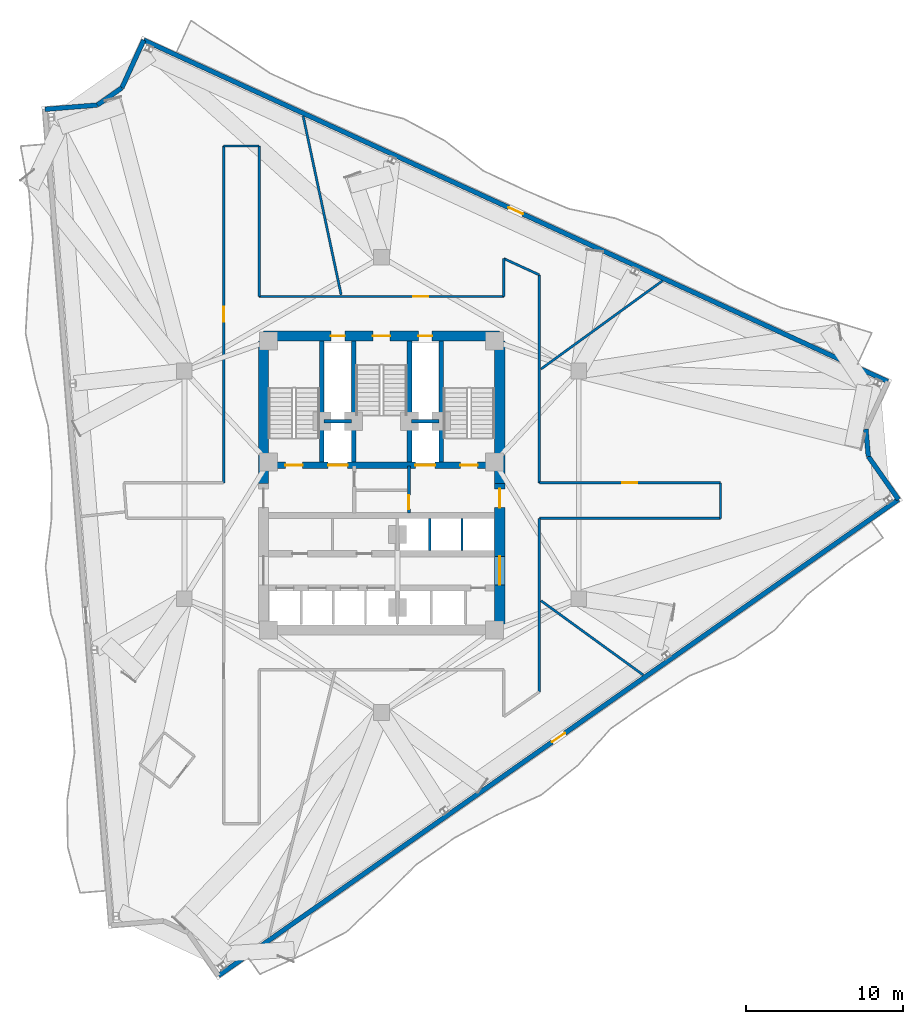
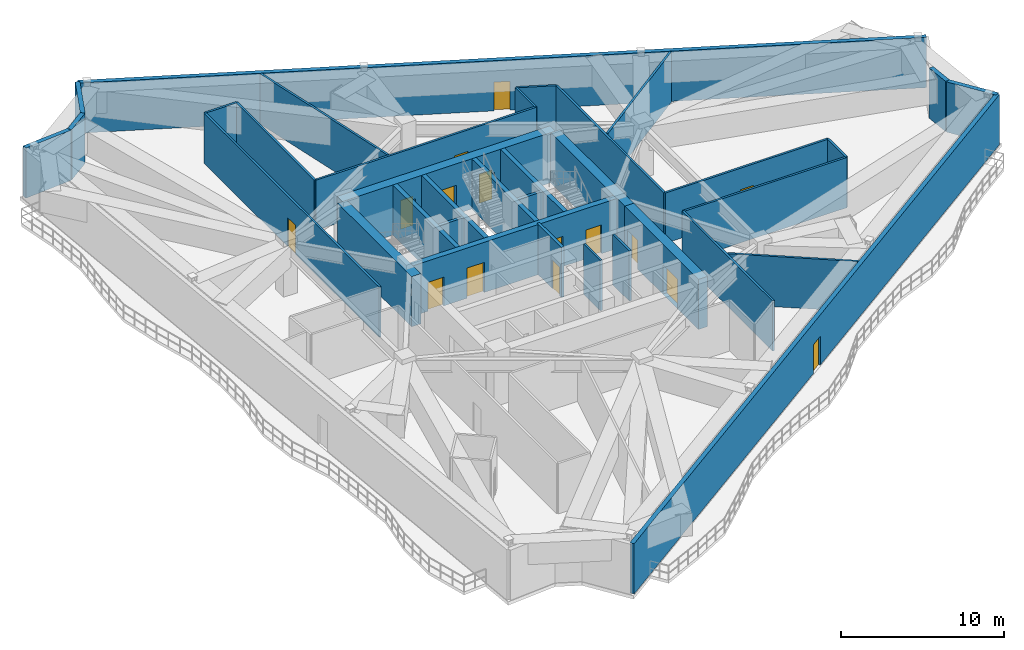
# One storey, part 9 of 14: 35 walls, 15 doors, 15 openings.
"""IFC4 building model written with IfcOpenShell, lengths in metres."""

import ifcopenshell
import ifcopenshell.guid

model = None  # the IFC model being written
_history = None  # IfcOwnerHistory: only IFC2X3 demands one
_inside = {}  # id of a spatial element -> (the spatial element, [elements in it])
_under = {}  # id of a project, library or spatial element -> (it, [spatial elements below it])
_declared = {}  # id of a project -> (the project, [libraries it declares])
_typed = {}  # id of a type object -> (the type object, [elements of that type])
_made_of = {}  # id of a material, layer set ... -> (it, [elements and type objects made of it])


def new_model(schema):
    """Start an empty IFC model of exactly this schema.

    Asked for "IFC4X3", IfcOpenShell would pick the latest addendum, in which some entities
    have other attributes; the version numbers below select the first issue.
    IFC2X3 requires an IfcOwnerHistory on every rooted entity: one is made here for all.
    """
    global model, _history
    if schema == "IFC4X3":
        model = ifcopenshell.file(schema_version=(4, 3, 0, 0))
    else:
        model = ifcopenshell.file(schema=schema)
    _inside.clear()
    _under.clear()
    _declared.clear()
    _typed.clear()
    _made_of.clear()
    _history = None
    if model.schema == "IFC2X3":
        org = make("IfcOrganization", Name="unknown")
        user = make(
            "IfcPersonAndOrganization",
            ThePerson=make("IfcPerson", FamilyName="unknown"),
            TheOrganization=org,
        )
        app = make(
            "IfcApplication",
            ApplicationDeveloper=org,
            Version="unknown",
            ApplicationFullName="unknown",
            ApplicationIdentifier="unknown",
        )
        _history = make(
            "IfcOwnerHistory",
            OwningUser=user,
            OwningApplication=app,
            ChangeAction="ADDED",
            CreationDate=0,
        )
    return model


def make(cls, **values):
    """One entity of the class cls with the attributes given. An attribute that is None is left unset."""
    return model.create_entity(
        cls, **{name: value for name, value in values.items() if value is not None}
    )


def rooted(cls, **values):
    """An entity with a GlobalId (a new one), such as an element, a storey or a relation."""
    return make(cls, GlobalId=ifcopenshell.guid.new(), OwnerHistory=_history, **values)


def si_unit(unit_type, name, prefix=None):
    """IfcSIUnit, for example si_unit("LENGTHUNIT", "METRE", prefix="MILLI")."""
    return make("IfcSIUnit", UnitType=unit_type, Prefix=prefix, Name=name)


def assignment(units):
    """IfcUnitAssignment: the units of a project."""
    return None if units is None else make("IfcUnitAssignment", Units=units)


def point(xyz):
    """IfcCartesianPoint."""
    return None if xyz is None else make("IfcCartesianPoint", Coordinates=xyz)


def direction(xyz):
    """IfcDirection."""
    return None if xyz is None else make("IfcDirection", DirectionRatios=xyz)


def frame(location, z_axis=None, x_axis=None):
    """IfcAxis2Placement3D, a coordinate frame: its origin and axes. An axis left out is left unset."""
    return make(
        "IfcAxis2Placement3D",
        Location=point(location),
        Axis=direction(z_axis),
        RefDirection=direction(x_axis),
    )


def frame_2d(location, x_axis=None):
    """IfcAxis2Placement2D, a coordinate frame in the plane: its origin and x axis."""
    return make(
        "IfcAxis2Placement2D", Location=point(location), RefDirection=direction(x_axis)
    )


def origin():
    """The frame at (0, 0, 0) with its axes left unset."""
    return frame((0.0, 0.0, 0.0))


def place(relative_to, where):
    """IfcLocalPlacement: puts the frame where relative to a parent placement (None: the world)."""
    return make(
        "IfcLocalPlacement", PlacementRelTo=relative_to, RelativePlacement=where
    )


def context(
    kind, dimensions, precision=None, world=None, true_north=None, identifier=None
):
    """IfcGeometricRepresentationContext, for example the 3D "Model" context."""
    return make(
        "IfcGeometricRepresentationContext",
        ContextIdentifier=identifier,
        ContextType=kind,
        CoordinateSpaceDimension=dimensions,
        Precision=precision,
        WorldCoordinateSystem=world,
        TrueNorth=true_north,
    )


def subcontext(parent, identifier, kind, view, scale=None):
    """IfcGeometricRepresentationSubContext, for example "Body" below "Model"."""
    return make(
        "IfcGeometricRepresentationSubContext",
        ContextIdentifier=identifier,
        ContextType=kind,
        ParentContext=parent,
        TargetScale=scale,
        TargetView=view,
    )


def project(units=None, contexts=None):
    """IfcProject with its units and contexts."""
    return rooted(
        "IfcProject",
        Name="project",
        RepresentationContexts=contexts,
        UnitsInContext=assignment(units),
    )


def spatial(cls, under=None, at=None, **own):
    """A site, building, storey or space (cls), placed at a placement, below another one or the project."""
    s = rooted(cls, ObjectPlacement=at, **own)
    if under is not None:
        _under.setdefault(under.id(), (under, []))[1].append(s)
    return s


def profile(cls, at=None, kind="AREA", **sizes):
    """A parametric profile (cls). Its sizes go by their IFC names, for example OverallWidth=200.0."""
    return make(cls, ProfileType=kind, Position=at, **sizes)


def rectangle(**sizes):
    """IfcRectangleProfileDef."""
    return profile("IfcRectangleProfileDef", **sizes)


def extrude(swept, where, along, depth):
    """IfcExtrudedAreaSolid: the profile swept, set in the frame where, extruded along a direction by depth."""
    return make(
        "IfcExtrudedAreaSolid",
        SweptArea=swept,
        Position=where,
        ExtrudedDirection=direction(along),
        Depth=depth,
    )


def shape(context_of_items, identifier, shape_type, items):
    """IfcShapeRepresentation: the items that make up one representation, for example the "Body"."""
    return make(
        "IfcShapeRepresentation",
        ContextOfItems=context_of_items,
        RepresentationIdentifier=identifier,
        RepresentationType=shape_type,
        Items=items,
    )


def material(Name=None, Category=None):
    """IfcMaterial."""
    return make("IfcMaterial", Name=Name, Category=Category)


def layer(
    of_material, thickness, ventilated=None, Name=None, Category=None, Priority=None
):
    """IfcMaterialLayer: one layer of a wall or slab, of a material (None: an air gap)."""
    return make(
        "IfcMaterialLayer",
        Material=of_material,
        LayerThickness=thickness,
        IsVentilated=ventilated,
        Name=Name,
        Category=Category,
        Priority=Priority,
    )


def layer_set(layers, Name=None):
    """IfcMaterialLayerSet."""
    return make("IfcMaterialLayerSet", MaterialLayers=layers, LayerSetName=Name)


def made_of(thing, what):
    """Note that an element or type object is made of a material, layer set ...; save() writes the relation."""
    if what is not None:
        _made_of.setdefault(what.id(), (what, []))[1].append(thing)
    return thing


def type_object(cls, material=None, **own):
    """A type object (cls), such as IfcWallType, which elements share."""
    return made_of(rooted(cls, **own), material)


def element(
    cls,
    number,
    at=None,
    inside=None,
    cuts=None,
    type_object=None,
    material=None,
    context=None,
    identifier="Body",
    shape_type=None,
    held_by="IfcProductDefinitionShape",
    body=None,
    shapes=None,
    **own,
):
    """One element of the class cls, such as IfcWall. Its Tag is "e" and its number.

    at: its placement. inside: the storey or other place that contains it. cuts: it is an
    opening in that element (IfcRelVoidsElement). A single representation is given by context,
    identifier, shape_type and body (its items); several are given by shapes. held_by: the class
    of the entity that holds the representations. save() writes the other relations.
    """
    e = rooted(cls, Tag="e%d" % number, ObjectPlacement=at, **own)
    if body is not None:
        shapes = [shape(context, identifier, shape_type, body)]
    if shapes is not None:
        e.Representation = make(held_by, Representations=shapes)
    if inside is not None:
        _inside.setdefault(inside.id(), (inside, []))[1].append(e)
    if cuts is not None:
        rooted(
            "IfcRelVoidsElement", RelatingBuildingElement=cuts, RelatedOpeningElement=e
        )
    if type_object is not None:
        _typed.setdefault(type_object.id(), (type_object, []))[1].append(e)
    return made_of(e, material)


def fill(opening, filler):
    """IfcRelFillsElement: the door or window that sits in an opening."""
    return rooted(
        "IfcRelFillsElement",
        RelatingOpeningElement=opening,
        RelatedBuildingElement=filler,
    )


def aggregate(whole, parts):
    """IfcRelAggregates: a whole, such as a stair, and the parts it consists of."""
    return rooted("IfcRelAggregates", RelatingObject=whole, RelatedObjects=parts)


def save(model, path):
    """Write the relations noted so far, then the file.

    IfcRelAggregates (storeys below a building ...), IfcRelContainedInSpatialStructure (elements
    in a storey), IfcRelDefinesByType, IfcRelAssociatesMaterial and IfcRelDeclares: one each for
    every whole, place, type object, material and project.
    """
    for whole, parts in _under.values():
        aggregate(whole, parts)
    for where, things in _inside.values():
        rooted(
            "IfcRelContainedInSpatialStructure",
            RelatedElements=things,
            RelatingStructure=where,
        )
    for kind, things in _typed.values():
        rooted("IfcRelDefinesByType", RelatedObjects=things, RelatingType=kind)
    for what, things in _made_of.values():
        rooted("IfcRelAssociatesMaterial", RelatedObjects=things, RelatingMaterial=what)
    for by, libraries in _declared.values():
        rooted("IfcRelDeclares", RelatingContext=by, RelatedDefinitions=libraries)
    model.write(path)


model = new_model("IFC4")

# Units and contexts
model_context = context("Model", 3, precision=1e-05, world=origin(), true_north=direction((0.0, 1.0)))
body_context = subcontext(model_context, "Body", "Model", "MODEL_VIEW")
ifc_project = project(units=[si_unit("LENGTHUNIT", "METRE"), si_unit("AREAUNIT", "SQUARE_METRE"), si_unit("VOLUMEUNIT", "CUBIC_METRE"), si_unit("PLANEANGLEUNIT", "RADIAN"), si_unit("MASSUNIT", "GRAM", prefix="KILO")], contexts=[model_context])

# Site, building, storey
site_placement = place(None, origin())
site = spatial("IfcSite", under=ifc_project, at=site_placement, CompositionType="ELEMENT")
building_placement = place(site_placement, origin())
building = spatial("IfcBuilding", under=site, at=building_placement, Name="Apsidion Concourse Tower", CompositionType="ELEMENT")
storey_placement = place(building_placement, frame((0.0, 0.0, 222.89990234375)))
storey = spatial("IfcBuildingStorey", under=building, at=storey_placement, Name="L52", CompositionType="ELEMENT", Elevation=222.89990234375)

# Wall, opening, door
ifc_material_1 = material(Name="Precast concrete C40/50", Category="concrete")
ifc_layer_1 = layer(ifc_material_1, 0.300048828125)
ifc_layer_set_1 = layer_set([ifc_layer_1], Name="Precast concrete C40/50")
wall_type_1 = type_object("IfcWallType", Name="WL-EXT-300", PredefinedType="STANDARD", material=ifc_layer_set_1)
wall_1_placement = place(storey_placement, frame((-15.1435546875, 28.32177734375, 0.0), z_axis=(0.0, 0.0, 1.0), x_axis=(0.908932099953, -0.416944166136, 0.0)))
wall_1 = element("IfcWall", 1, at=wall_1_placement, inside=storey, type_object=wall_type_1, Name="L52 Precast Stone Facade Wall 01", PredefinedType="STANDARD", context=body_context, shape_type="SweptSolid", body=[
    extrude(rectangle(XDim=52.127685546875, YDim=0.300048828125, at=frame_2d((26.06396484375, 0.0))), origin(), (0.0, 0.0, 1.0), 3.75),
])
opening_1_placement = place(wall_1_placement, frame((25.56396484375, 0.0, 0.0)))
opening_1 = element("IfcOpeningElement", 2, at=opening_1_placement, cuts=wall_1, Name="Opening D-T1L", PredefinedType="OPENING", context=body_context, shape_type="SweptSolid", body=[
    extrude(rectangle(XDim=1.0, YDim=2.14990234375, at=frame_2d((0.5, 1.074951171875))), frame((0.0, 0.16015625, 0.0), z_axis=(0.0, -1.0, 0.0), x_axis=(1.0, 0.0, 0.0)), (0.0, 0.0, 1.0), 0.320068359375),
])
ifc_material_2 = material(Name="Anodised aluminium EN AW-6063 T6", Category="aluminium")
door_type_1 = type_object("IfcDoorType", Name="DR-TER-1022L", OperationType="SINGLE_SWING_LEFT", PredefinedType="DOOR", material=ifc_material_2)
door_1_placement = place(opening_1_placement, origin())
door_1 = element("IfcDoor", 3, at=door_1_placement, inside=storey, type_object=door_type_1, Name="L52 Balcony Access Door 3", OperationType="SINGLE_SWING_LEFT", OverallHeight=2.14990234375, OverallWidth=1.0, PredefinedType="DOOR", context=body_context, shape_type="SweptSolid", body=[
    extrude(rectangle(XDim=1.0, YDim=2.14990234375, at=frame_2d((0.5, 1.074951171875))), frame((0.0, 0.02490234375, 0.0), z_axis=(0.0, -1.0, 0.0), x_axis=(1.0, 0.0, 0.0)), (0.0, 0.0, 1.0), 0.050048828125),
])
fill(opening_1, door_1)

# Walls
wall_2_placement = place(storey_placement, frame((30.842041015625, 3.54638671875, 0.0), z_axis=(0.0, 0.0, 1.0), x_axis=(0.09030850916, -0.995913838228, 0.0)))
element("IfcWall", 4, at=wall_2_placement, inside=storey, type_object=wall_type_1, Name="L52 Precast Stone Facade Wall 03", PredefinedType="STANDARD", context=body_context, shape_type="SweptSolid", body=[
    extrude(rectangle(XDim=1.74365234375, YDim=0.300048828125, at=frame_2d((0.871826171875, 0.0))), origin(), (0.0, 0.0, 1.0), 3.75),
])
wall_3_placement = place(storey_placement, frame((30.99951171875, 1.809814453125, 0.0), z_axis=(0.0, 0.0, 1.0), x_axis=(0.573550493689, -0.819170208925, 0.0)))
element("IfcWall", 5, at=wall_3_placement, inside=storey, type_object=wall_type_1, Name="L52 Precast Stone Facade Wall 04", PredefinedType="STANDARD", context=body_context, shape_type="SweptSolid", body=[
    extrude(rectangle(XDim=3.345703125, YDim=0.300048828125, at=frame_2d((1.6728515625, 0.0))), origin(), (0.0, 0.0, 1.0), 3.75),
])

# Wall, opening, door
wall_4_placement = place(storey_placement, frame((32.91845703125, -0.930908203125, 0.0), z_axis=(0.0, 0.0, 1.0), x_axis=(-0.819151415939, -0.573577333727, 0.0)))
wall_4 = element("IfcWall", 6, at=wall_4_placement, inside=storey, type_object=wall_type_1, Name="L52 Precast Stone Facade Wall 05", PredefinedType="STANDARD", context=body_context, shape_type="SweptSolid", body=[
    extrude(rectangle(XDim=52.862548828125, YDim=0.300048828125, at=frame_2d((26.43115234375, 0.0))), origin(), (0.0, 0.0, 1.0), 3.75),
])
opening_2_placement = place(wall_4_placement, frame((25.931396484375, 0.0, 0.0)))
opening_2 = element("IfcOpeningElement", 7, at=opening_2_placement, cuts=wall_4, Name="Opening D-T1R", PredefinedType="OPENING", context=body_context, shape_type="SweptSolid", body=[
    extrude(rectangle(XDim=1.0, YDim=2.14990234375, at=frame_2d((0.5, 1.074951171875))), frame((0.0, 0.16015625, 0.0), z_axis=(0.0, -1.0, 0.0), x_axis=(1.0, 0.0, 0.0)), (0.0, 0.0, 1.0), 0.320068359375),
])
door_type_2 = type_object("IfcDoorType", Name="DR-TER-1022R", OperationType="SINGLE_SWING_RIGHT", PredefinedType="DOOR", material=ifc_material_2)
door_2_placement = place(opening_2_placement, origin())
door_2 = element("IfcDoor", 8, at=door_2_placement, inside=storey, type_object=door_type_2, Name="L52 Balcony Access Door 2", OperationType="SINGLE_SWING_RIGHT", OverallHeight=2.14990234375, OverallWidth=1.0, PredefinedType="DOOR", context=body_context, shape_type="SweptSolid", body=[
    extrude(rectangle(XDim=1.0, YDim=2.14990234375, at=frame_2d((0.5, 1.074951171875))), frame((0.0, 0.02490234375, 0.0), z_axis=(0.0, -1.0, 0.0), x_axis=(1.0, 0.0, 0.0)), (0.0, 0.0, 1.0), 0.050048828125),
])
fill(opening_2, door_2)

# Walls
wall_5_placement = place(storey_placement, frame((-21.4345703125, 23.9169921875, 0.0), z_axis=(0.0, 0.0, 1.0), x_axis=(0.99672253381, 0.080896171692, 0.0)))
element("IfcWall", 9, at=wall_5_placement, inside=storey, type_object=wall_type_1, Name="L52 Precast Stone Facade Wall 10", PredefinedType="STANDARD", context=body_context, shape_type="SweptSolid", body=[
    extrude(rectangle(XDim=3.346923828125, YDim=0.300048828125, at=frame_2d((1.67333984375, 0.0))), origin(), (0.0, 0.0, 1.0), 3.75),
])
wall_6_placement = place(storey_placement, frame((-18.0986328125, 24.187744140625, 0.0), z_axis=(0.0, 0.0, 1.0), x_axis=(0.819147570989, 0.573582824833, 0.0)))
element("IfcWall", 10, at=wall_6_placement, inside=storey, type_object=wall_type_1, Name="L52 Precast Stone Facade Wall 11", PredefinedType="STANDARD", context=body_context, shape_type="SweptSolid", body=[
    extrude(rectangle(XDim=1.90380859375, YDim=0.300048828125, at=frame_2d((0.951904296875, 0.0))), origin(), (0.0, 0.0, 1.0), 3.75),
])
wall_7_placement = place(storey_placement, frame((-16.5390625, 25.27978515625, 0.0), z_axis=(0.0, 0.0, 1.0), x_axis=(0.416966150663, 0.908922014917, 0.0)))
element("IfcWall", 11, at=wall_7_placement, inside=storey, type_object=wall_type_1, Name="L52 Precast Stone Facade Wall 12", PredefinedType="STANDARD", context=body_context, shape_type="SweptSolid", body=[
    extrude(rectangle(XDim=3.346923828125, YDim=0.300048828125, at=frame_2d((1.67333984375, 0.0))), origin(), (0.0, 0.0, 1.0), 3.75),
])
ifc_material_3 = material(Name="Gypsum plasterboard partition")
ifc_layer_2 = layer(ifc_material_3, 0.14990234375)
ifc_layer_set_2 = layer_set([ifc_layer_2], Name="Gypsum plasterboard partition")
wall_type_2 = type_object("IfcWallType", Name="WL-INT-PAR-150", PredefinedType="PARTITIONING", material=ifc_layer_set_2)
for number, where, z_axis, x_axis, name in (
    (12, (3.074951171875, -4.179931640625, 0.0), (0.0, 0.0, 1.0), (0.0, 1.0, 0.0), "L52 Interior Partition WL-L52-B3DIV-1"),
    (13, (5.125, -4.179931640625, 0.0), (0.0, 0.0, 1.0), (0.0, 1.0, 0.0), "L52 Interior Partition WL-L52-B3DIV-2"),
):
    element("IfcWall", number, at=place(storey_placement, frame(where, z_axis=z_axis, x_axis=x_axis)), inside=storey, type_object=wall_type_2, Name=name, PredefinedType="PARTITIONING", context=body_context, shape_type="SweptSolid", body=[
        extrude(rectangle(XDim=2.030029296875, YDim=0.14990234375, at=frame_2d((1.01513671875, 0.0))), origin(), (0.0, 0.0, 1.0), 3.75),
    ])

# Wall, opening, door
wall_8_placement = place(storey_placement, frame((-10.050048828125, 0.1298828125, 0.0), z_axis=(0.0, 0.0, 1.0), x_axis=(0.0, 1.0, 0.0)))
wall_8 = element("IfcWall", 14, at=wall_8_placement, inside=storey, type_object=wall_type_2, Name="L52 Interior Partition WL-L52-CORR-10", PredefinedType="PARTITIONING", context=body_context, shape_type="SweptSolid", body=[
    extrude(rectangle(XDim=21.4501953125, YDim=0.14990234375, at=frame_2d((10.72509765625, 0.0))), origin(), (0.0, 0.0, 1.0), 3.75),
])
opening_3_placement = place(wall_8_placement, frame((10.25, 0.0, 0.0)))
opening_3 = element("IfcOpeningElement", 15, at=opening_3_placement, cuts=wall_8, Name="Opening D-01L", PredefinedType="OPENING", context=body_context, shape_type="SweptSolid", body=[
    extrude(rectangle(XDim=0.949951171875, YDim=2.14990234375, at=frame_2d((0.47509765625, 1.074951171875))), frame((0.0, 0.0849609375, 0.0), z_axis=(0.0, -1.0, 0.0), x_axis=(1.0, 0.0, 0.0)), (0.0, 0.0, 1.0), 0.169921875),
])
ifc_material_4 = material(Name="Brushed stainless steel 316", Category="steel")
door_type_3 = type_object("IfcDoorType", Name="DR-INT-D01L", OperationType="SINGLE_SWING_LEFT", PredefinedType="DOOR", material=ifc_material_4)
door_3_placement = place(opening_3_placement, origin())
door_3 = element("IfcDoor", 16, at=door_3_placement, inside=storey, type_object=door_type_3, Name="L52 Corridor Entry Door 05", OperationType="SINGLE_SWING_LEFT", OverallHeight=2.14990234375, OverallWidth=0.949951171875, PredefinedType="DOOR", context=body_context, shape_type="SweptSolid", body=[
    extrude(rectangle(XDim=0.949951171875, YDim=2.14990234375, at=frame_2d((0.47509765625, 1.074951171875))), frame((0.0, 0.02490234375, 0.0), z_axis=(0.0, -1.0, 0.0), x_axis=(1.0, 0.0, 0.0)), (0.0, 0.0, 1.0), 0.050048828125),
])
fill(opening_3, door_3)

# Walls
wall_9_placement = place(storey_placement, frame((-10.050048828125, 21.580078125, 0.0), z_axis=(0.0, 0.0, 1.0), x_axis=(1.0, 0.0, 0.0)))
element("IfcWall", 17, at=wall_9_placement, inside=storey, type_object=wall_type_2, Name="L52 Interior Partition WL-L52-CORR-11", PredefinedType="PARTITIONING", context=body_context, shape_type="SweptSolid", body=[
    extrude(rectangle(XDim=2.260009765625, YDim=0.14990234375, at=frame_2d((1.1298828125, 0.0))), origin(), (0.0, 0.0, 1.0), 3.75),
])
wall_10_placement = place(storey_placement, frame((-7.7900390625, 21.580078125, 0.0), z_axis=(0.0, 0.0, 1.0), x_axis=(0.0, -1.0, 0.0)))
element("IfcWall", 18, at=wall_10_placement, inside=storey, type_object=wall_type_2, Name="L52 Interior Partition WL-L52-CORR-12", PredefinedType="PARTITIONING", context=body_context, shape_type="SweptSolid", body=[
    extrude(rectangle(XDim=9.580078125, YDim=0.14990234375, at=frame_2d((4.7900390625, 0.0))), origin(), (0.0, 0.0, 1.0), 3.75),
])

# Wall, opening, door
wall_11_placement = place(storey_placement, frame((-7.7900390625, 12.0, 0.0), z_axis=(0.0, 0.0, 1.0), x_axis=(1.0, 0.0, 0.0)))
wall_11 = element("IfcWall", 19, at=wall_11_placement, inside=storey, type_object=wall_type_2, Name="L52 Interior Partition WL-L52-CORR-13", PredefinedType="PARTITIONING", context=body_context, shape_type="SweptSolid", body=[
    extrude(rectangle(XDim=15.580078125, YDim=0.14990234375, at=frame_2d((7.7900390625, 0.0))), origin(), (0.0, 0.0, 1.0), 3.75),
])
opening_4_placement = place(wall_11_placement, frame((9.800048828125, 0.0, 0.0)))
opening_4 = element("IfcOpeningElement", 20, at=opening_4_placement, cuts=wall_11, Name="Opening D-01R", PredefinedType="OPENING", context=body_context, shape_type="SweptSolid", body=[
    extrude(rectangle(XDim=0.949951171875, YDim=2.14990234375, at=frame_2d((0.47509765625, 1.074951171875))), frame((0.0, 0.0849609375, 0.0), z_axis=(0.0, -1.0, 0.0), x_axis=(1.0, 0.0, 0.0)), (0.0, 0.0, 1.0), 0.169921875),
])
door_type_4 = type_object("IfcDoorType", Name="DR-INT-D01R", OperationType="SINGLE_SWING_RIGHT", PredefinedType="DOOR", material=ifc_material_4)
door_4_placement = place(opening_4_placement, origin())
door_4 = element("IfcDoor", 21, at=door_4_placement, inside=storey, type_object=door_type_4, Name="L52 Corridor Entry Door 04", OperationType="SINGLE_SWING_RIGHT", OverallHeight=2.14990234375, OverallWidth=0.949951171875, PredefinedType="DOOR", context=body_context, shape_type="SweptSolid", body=[
    extrude(rectangle(XDim=0.949951171875, YDim=2.14990234375, at=frame_2d((0.47509765625, 1.074951171875))), frame((0.0, 0.02490234375, 0.0), z_axis=(0.0, -1.0, 0.0), x_axis=(1.0, 0.0, 0.0)), (0.0, 0.0, 1.0), 0.050048828125),
])
fill(opening_4, door_4)

# Walls
wall_12_placement = place(storey_placement, frame((7.7900390625, 12.0, 0.0), z_axis=(0.0, 0.0, 1.0), x_axis=(0.0, 1.0, 0.0)))
element("IfcWall", 22, at=wall_12_placement, inside=storey, type_object=wall_type_2, Name="L52 Interior Partition WL-L52-CORR-14", PredefinedType="PARTITIONING", context=body_context, shape_type="SweptSolid", body=[
    extrude(rectangle(XDim=2.40771484375, YDim=0.14990234375, at=frame_2d((1.203857421875, 0.0))), origin(), (0.0, 0.0, 1.0), 3.75),
])
wall_13_placement = place(storey_placement, frame((7.7900390625, 14.40771484375, 0.0), z_axis=(0.0, 0.0, 1.0), x_axis=(0.908908252736, -0.416996148792, 0.0)))
element("IfcWall", 23, at=wall_13_placement, inside=storey, type_object=wall_type_2, Name="L52 Interior Partition WL-L52-CORR-15", PredefinedType="PARTITIONING", context=body_context, shape_type="SweptSolid", body=[
    extrude(rectangle(XDim=2.486572265625, YDim=0.14990234375, at=frame_2d((1.2431640625, 0.0))), origin(), (0.0, 0.0, 1.0), 3.75),
])
wall_14_placement = place(storey_placement, frame((10.050048828125, 13.370849609375, 0.0), z_axis=(0.0, 0.0, 1.0), x_axis=(0.0, -1.0, 0.0)))
element("IfcWall", 24, at=wall_14_placement, inside=storey, type_object=wall_type_2, Name="L52 Interior Partition WL-L52-CORR-16", PredefinedType="PARTITIONING", context=body_context, shape_type="SweptSolid", body=[
    extrude(rectangle(XDim=13.240966796875, YDim=0.14990234375, at=frame_2d((6.62060546875, 0.0))), origin(), (0.0, 0.0, 1.0), 3.75),
])

# Wall, opening, door
wall_15_placement = place(storey_placement, frame((10.050048828125, 0.1298828125, 0.0), z_axis=(0.0, 0.0, 1.0), x_axis=(1.0, 0.0, 0.0)))
wall_15 = element("IfcWall", 25, at=wall_15_placement, inside=storey, type_object=wall_type_2, Name="L52 Interior Partition WL-L52-CORR-17", PredefinedType="PARTITIONING", context=body_context, shape_type="SweptSolid", body=[
    extrude(rectangle(XDim=11.530029296875, YDim=0.14990234375, at=frame_2d((5.76513671875, 0.0))), origin(), (0.0, 0.0, 1.0), 3.75),
])
opening_5_placement = place(wall_15_placement, frame((5.2900390625, 0.0, 0.0)))
opening_5 = element("IfcOpeningElement", 26, at=opening_5_placement, cuts=wall_15, Name="Opening D-01L", PredefinedType="OPENING", context=body_context, shape_type="SweptSolid", body=[
    extrude(rectangle(XDim=0.949951171875, YDim=2.14990234375, at=frame_2d((0.47509765625, 1.074951171875))), frame((0.0, 0.0849609375, 0.0), z_axis=(0.0, -1.0, 0.0), x_axis=(1.0, 0.0, 0.0)), (0.0, 0.0, 1.0), 0.169921875),
])
door_5_placement = place(opening_5_placement, origin())
door_5 = element("IfcDoor", 27, at=door_5_placement, inside=storey, type_object=door_type_3, Name="L52 Corridor Entry Door 03", OperationType="SINGLE_SWING_LEFT", OverallHeight=2.14990234375, OverallWidth=0.949951171875, PredefinedType="DOOR", context=body_context, shape_type="SweptSolid", body=[
    extrude(rectangle(XDim=0.949951171875, YDim=2.14990234375, at=frame_2d((0.47509765625, 1.074951171875))), frame((0.0, 0.02490234375, 0.0), z_axis=(0.0, -1.0, 0.0), x_axis=(1.0, 0.0, 0.0)), (0.0, 0.0, 1.0), 0.050048828125),
])
fill(opening_5, door_5)

# Walls
wall_16_placement = place(storey_placement, frame((21.580078125, 0.1298828125, 0.0), z_axis=(0.0, 0.0, 1.0), x_axis=(0.0, -1.0, 0.0)))
element("IfcWall", 28, at=wall_16_placement, inside=storey, type_object=wall_type_2, Name="L52 Interior Partition WL-L52-CORR-18", PredefinedType="PARTITIONING", context=body_context, shape_type="SweptSolid", body=[
    extrude(rectangle(XDim=2.259765625, YDim=0.14990234375, at=frame_2d((1.1298828125, 0.0))), origin(), (0.0, 0.0, 1.0), 3.75),
])
wall_17_placement = place(storey_placement, frame((21.580078125, -2.1298828125, 0.0), z_axis=(0.0, 0.0, 1.0), x_axis=(-1.0, 0.0, 0.0)))
element("IfcWall", 29, at=wall_17_placement, inside=storey, type_object=wall_type_2, Name="L52 Interior Partition WL-L52-CORR-19", PredefinedType="PARTITIONING", context=body_context, shape_type="SweptSolid", body=[
    extrude(rectangle(XDim=11.530029296875, YDim=0.14990234375, at=frame_2d((5.76513671875, 0.0))), origin(), (0.0, 0.0, 1.0), 3.75),
])
wall_18_placement = place(storey_placement, frame((10.050048828125, -2.1298828125, 0.0), z_axis=(0.0, 0.0, 1.0), x_axis=(0.0, -1.0, 0.0)))
element("IfcWall", 30, at=wall_18_placement, inside=storey, type_object=wall_type_2, Name="L52 Interior Partition WL-L52-CORR-20", PredefinedType="PARTITIONING", context=body_context, shape_type="SweptSolid", body=[
    extrude(rectangle(XDim=11.047607421875, YDim=0.14990234375, at=frame_2d((5.52392578125, 0.0))), origin(), (0.0, 0.0, 1.0), 3.75),
])
wall_19_placement = place(storey_placement, frame((10.155029296875, 7.3779296875, 0.0), z_axis=(0.0, 0.0, 1.0), x_axis=(0.809018998298, 0.587782494119, 0.0)))
element("IfcWall", 31, at=wall_19_placement, inside=storey, type_object=wall_type_2, Name="L52 Interior Partition WL-L52-RAD-01-1", PredefinedType="PARTITIONING", context=body_context, shape_type="SweptSolid", body=[
    extrude(rectangle(XDim=9.550048828125, YDim=0.14990234375, at=frame_2d((4.77490234375, 0.0))), origin(), (0.0, 0.0, 1.0), 3.75),
])
wall_20_placement = place(storey_placement, frame((-2.572998046875, 12.10498046875, 0.0), z_axis=(0.0, 0.0, 1.0), x_axis=(-0.207903435497, 0.97814935542, 0.0)))
element("IfcWall", 32, at=wall_20_placement, inside=storey, type_object=wall_type_2, Name="L52 Interior Partition WL-L52-RAD-02-1", PredefinedType="PARTITIONING", context=body_context, shape_type="SweptSolid", body=[
    extrude(rectangle(XDim=11.632568359375, YDim=0.14990234375, at=frame_2d((5.81640625, 0.0))), origin(), (0.0, 0.0, 1.0), 3.75),
])
wall_21_placement = place(storey_placement, frame((10.155029296875, -7.3779296875, 0.0), z_axis=(0.0, 0.0, 1.0), x_axis=(0.809021931729, -0.587778456548, 0.0)))
element("IfcWall", 33, at=wall_21_placement, inside=storey, type_object=wall_type_2, Name="L52 Interior Partition WL-L52-RAD-05-1", PredefinedType="PARTITIONING", context=body_context, shape_type="SweptSolid", body=[
    extrude(rectangle(XDim=8.048828125, YDim=0.14990234375, at=frame_2d((4.0244140625, 0.0))), origin(), (0.0, 0.0, 1.0), 3.75),
])
ifc_layer_3 = layer(ifc_material_3, 0.199951171875)
ifc_layer_set_3 = layer_set([ifc_layer_3], Name="Gypsum plasterboard partition")
wall_type_3 = type_object("IfcWallType", Name="WL-INT-PAR-200", PredefinedType="PARTITIONING", material=ifc_layer_set_3)
for number, where, z_axis, x_axis, name in (
    (34, (-3.64990234375, 4.050048828125, 0.0), (0.0, 0.0, 1.0), (1.0, 0.0, 0.0), "L52 Interior Partition WL-L52-FF1-N"),
    (35, (1.919921875, 4.050048828125, 0.0), (0.0, 0.0, 1.0), (1.0, 0.0, 0.0), "L52 Interior Partition WL-L52-FF2-N"),
):
    element("IfcWall", number, at=place(storey_placement, frame(where, z_axis=z_axis, x_axis=x_axis)), inside=storey, type_object=wall_type_3, Name=name, PredefinedType="PARTITIONING", context=body_context, shape_type="SweptSolid", body=[
        extrude(rectangle(XDim=1.72998046875, YDim=0.199951171875, at=frame_2d((0.864990234375, 0.0))), origin(), (0.0, 0.0, 1.0), 3.75),
    ])

# Wall, opening, door
wall_22_placement = place(storey_placement, frame((1.739990234375, -1.780029296875, 0.0), z_axis=(0.0, 0.0, 1.0), x_axis=(0.0, 1.0, 0.0)))
wall_22 = element("IfcWall", 36, at=wall_22_placement, inside=storey, type_object=wall_type_3, Name="L52 Interior Partition WL-L52-FF2-W", PredefinedType="PARTITIONING", context=body_context, shape_type="SweptSolid", body=[
    extrude(rectangle(XDim=2.97998046875, YDim=0.199951171875, at=frame_2d((1.489990234375, 0.0))), origin(), (0.0, 0.0, 1.0), 3.75),
])
opening_6_placement = place(wall_22_placement, frame((0.239990234375, 0.0, 0.0)))
opening_6 = element("IfcOpeningElement", 37, at=opening_6_placement, cuts=wall_22, Name="Opening D-05R", PredefinedType="OPENING", context=body_context, shape_type="SweptSolid", body=[
    extrude(rectangle(XDim=0.8798828125, YDim=2.14990234375, at=frame_2d((0.43994140625, 1.074951171875))), frame((0.0, 0.10986328125, 0.0), z_axis=(0.0, -1.0, 0.0), x_axis=(1.0, 0.0, 0.0)), (0.0, 0.0, 1.0), 0.219970703125),
])
door_type_5 = type_object("IfcDoorType", Name="DR-INT-D05R", OperationType="SINGLE_SWING_RIGHT", PredefinedType="DOOR", material=ifc_material_4)
door_6_placement = place(opening_6_placement, origin())
door_6 = element("IfcDoor", 38, at=door_6_placement, inside=storey, type_object=door_type_5, Name="L52 Core Supply Store Door", OperationType="SINGLE_SWING_RIGHT", OverallHeight=2.14990234375, OverallWidth=0.8798828125, PredefinedType="DOOR", context=body_context, shape_type="SweptSolid", body=[
    extrude(rectangle(XDim=0.8798828125, YDim=2.14990234375, at=frame_2d((0.43994140625, 1.074951171875))), frame((0.0, 0.02490234375, 0.0), z_axis=(0.0, -1.0, 0.0), x_axis=(1.0, 0.0, 0.0)), (0.0, 0.0, 1.0), 0.050048828125),
])
fill(opening_6, door_6)

# Walls
ifc_material_5 = material(Name="Concrete C50/60", Category="concrete")
ifc_layer_4 = layer(ifc_material_5, 0.300048828125)
ifc_layer_set_4 = layer_set([ifc_layer_4], Name="Concrete C50/60")
wall_type_4 = type_object("IfcWallType", Name="WL-SH-300", PredefinedType="SHEAR", material=ifc_layer_set_4)
for number, where, z_axis, x_axis, name in (
    (39, (-3.800048828125, 1.449951171875, 0.0), (0.0, 0.0, 1.0), (0.0, 1.0, 0.0), "L52 Central Core Shear Wall V1"),
    (40, (-1.77490234375, 1.449951171875, 0.0), (0.0, 0.0, 1.0), (0.0, 1.0, 0.0), "L52 Central Core Shear Wall V2"),
    (41, (1.77490234375, 1.449951171875, 0.0), (0.0, 0.0, 1.0), (0.0, 1.0, 0.0), "L52 Central Core Shear Wall V3"),
    (42, (3.800048828125, 1.449951171875, 0.0), (0.0, 0.0, 1.0), (0.0, 1.0, 0.0), "L52 Central Core Shear Wall V4"),
):
    element("IfcWall", number, at=place(storey_placement, frame(where, z_axis=z_axis, x_axis=x_axis)), inside=storey, type_object=wall_type_4, Name=name, PredefinedType="SHEAR", context=body_context, shape_type="SweptSolid", body=[
        extrude(rectangle(XDim=7.699951171875, YDim=0.300048828125, at=frame_2d((3.85009765625, 0.0))), origin(), (0.0, 0.0, 1.0), 3.75),
    ])

# Wall, openings, doors
ifc_layer_5 = layer(ifc_material_5, 0.39990234375)
ifc_layer_set_5 = layer_set([ifc_layer_5], Name="Concrete C50/60")
wall_type_5 = type_object("IfcWallType", Name="WL-SH-400", PredefinedType="SHEAR", material=ifc_layer_set_5)
wall_23_placement = place(storey_placement, frame((-7.199951171875, 1.25, 0.0), z_axis=(0.0, 0.0, 1.0), x_axis=(1.0, 0.0, 0.0)))
wall_23 = element("IfcWall", 43, at=wall_23_placement, inside=storey, type_object=wall_type_5, Name="L52 Central Core Shear Wall M1", PredefinedType="SHEAR", context=body_context, shape_type="SweptSolid", body=[
    extrude(rectangle(XDim=14.39990234375, YDim=0.39990234375, at=frame_2d((7.199951171875, 0.0))), origin(), (0.0, 0.0, 1.0), 3.75),
])
opening_7_placement = place(wall_23_placement, frame((3.794921875, 0.0, 0.0)))
opening_7 = element("IfcOpeningElement", 44, at=opening_7_placement, cuts=wall_23, Name="Opening LD-FF", PredefinedType="OPENING", context=body_context, shape_type="SweptSolid", body=[
    extrude(rectangle(XDim=1.25, YDim=2.25, at=frame_2d((0.625, 1.125))), frame((0.0, 0.2099609375, 0.0), z_axis=(0.0, -1.0, 0.0), x_axis=(1.0, 0.0, 0.0)), (0.0, 0.0, 1.0), 0.419921875),
])
opening_8_placement = place(wall_23_placement, frame((9.35498046875, 0.0, 0.0)))
opening_8 = element("IfcOpeningElement", 45, at=opening_8_placement, cuts=wall_23, Name="Opening LD-FF", PredefinedType="OPENING", context=body_context, shape_type="SweptSolid", body=[
    extrude(rectangle(XDim=1.25, YDim=2.25, at=frame_2d((0.625, 1.125))), frame((0.0, 0.2099609375, 0.0), z_axis=(0.0, -1.0, 0.0), x_axis=(1.0, 0.0, 0.0)), (0.0, 0.0, 1.0), 0.419921875),
])
opening_9_placement = place(wall_23_placement, frame((1.074951171875, 0.0, 0.0)))
opening_9 = element("IfcOpeningElement", 46, at=opening_9_placement, cuts=wall_23, Name="Opening D-STL", PredefinedType="OPENING", context=body_context, shape_type="SweptSolid", body=[
    extrude(rectangle(XDim=1.10009765625, YDim=2.14990234375, at=frame_2d((0.550048828125, 1.074951171875))), frame((0.0, 0.2099609375, 0.0), z_axis=(0.0, -1.0, 0.0), x_axis=(1.0, 0.0, 0.0)), (0.0, 0.0, 1.0), 0.419921875),
])
opening_10_placement = place(wall_23_placement, frame((12.22509765625, 0.0, 0.0)))
opening_10 = element("IfcOpeningElement", 47, at=opening_10_placement, cuts=wall_23, Name="Opening D-STR", PredefinedType="OPENING", context=body_context, shape_type="SweptSolid", body=[
    extrude(rectangle(XDim=1.10009765625, YDim=2.14990234375, at=frame_2d((0.550048828125, 1.074951171875))), frame((0.0, 0.2099609375, 0.0), z_axis=(0.0, -1.0, 0.0), x_axis=(1.0, 0.0, 0.0)), (0.0, 0.0, 1.0), 0.419921875),
])
door_type_6 = type_object("IfcDoorType", Name="DR-INT-ST1L", OperationType="SINGLE_SWING_LEFT", PredefinedType="DOOR", material=ifc_material_4)
door_7_placement = place(opening_9_placement, origin())
door_7 = element("IfcDoor", 48, at=door_7_placement, inside=storey, type_object=door_type_6, Name="L52 Core Exit Stair ST1 Door", OperationType="SINGLE_SWING_LEFT", OverallHeight=2.14990234375, OverallWidth=1.10009765625, PredefinedType="DOOR", context=body_context, shape_type="SweptSolid", body=[
    extrude(rectangle(XDim=1.10009765625, YDim=2.14990234375, at=frame_2d((0.550048828125, 1.074951171875))), frame((0.0, 0.02490234375, 0.0), z_axis=(0.0, -1.0, 0.0), x_axis=(1.0, 0.0, 0.0)), (0.0, 0.0, 1.0), 0.050048828125),
])
fill(opening_9, door_7)
door_type_7 = type_object("IfcDoorType", Name="DR-INT-ST1R", OperationType="SINGLE_SWING_RIGHT", PredefinedType="DOOR", material=ifc_material_4)
door_8_placement = place(opening_10_placement, origin())
door_8 = element("IfcDoor", 49, at=door_8_placement, inside=storey, type_object=door_type_7, Name="L52 Core Exit Stair ST2 Door", OperationType="SINGLE_SWING_RIGHT", OverallHeight=2.14990234375, OverallWidth=1.10009765625, PredefinedType="DOOR", context=body_context, shape_type="SweptSolid", body=[
    extrude(rectangle(XDim=1.10009765625, YDim=2.14990234375, at=frame_2d((0.550048828125, 1.074951171875))), frame((0.0, 0.02490234375, 0.0), z_axis=(0.0, -1.0, 0.0), x_axis=(1.0, 0.0, 0.0)), (0.0, 0.0, 1.0), 0.050048828125),
])
fill(opening_10, door_8)
door_type_8 = type_object("IfcDoorType", Name="DR-LD-FSAE", OperationType="DOUBLE_DOOR_SLIDING", PredefinedType="DOOR", material=ifc_material_4)
door_9_placement = place(opening_7_placement, origin())
door_9 = element("IfcDoor", 50, at=door_9_placement, inside=storey, type_object=door_type_8, Name="L52 Lift Landing Door FF1", OperationType="DOUBLE_DOOR_SLIDING", OverallHeight=2.25, OverallWidth=1.25, PredefinedType="DOOR", context=body_context, shape_type="SweptSolid", body=[
    extrude(rectangle(XDim=1.25, YDim=2.25, at=frame_2d((0.625, 1.125))), frame((0.0, 0.02490234375, 0.0), z_axis=(0.0, -1.0, 0.0), x_axis=(1.0, 0.0, 0.0)), (0.0, 0.0, 1.0), 0.050048828125),
])
fill(opening_7, door_9)
door_10_placement = place(opening_8_placement, origin())
door_10 = element("IfcDoor", 51, at=door_10_placement, inside=storey, type_object=door_type_8, Name="L52 Lift Landing Door FF2", OperationType="DOUBLE_DOOR_SLIDING", OverallHeight=2.25, OverallWidth=1.25, PredefinedType="DOOR", context=body_context, shape_type="SweptSolid", body=[
    extrude(rectangle(XDim=1.25, YDim=2.25, at=frame_2d((0.625, 1.125))), frame((0.0, 0.02490234375, 0.0), z_axis=(0.0, -1.0, 0.0), x_axis=(1.0, 0.0, 0.0)), (0.0, 0.0, 1.0), 0.050048828125),
])
fill(opening_8, door_10)

ifc_layer_6 = layer(ifc_material_5, 0.64990234375)
ifc_layer_set_6 = layer_set([ifc_layer_6], Name="Concrete C50/60")
wall_type_6 = type_object("IfcWallType", Name="WL-SH-650", PredefinedType="SHEAR", material=ifc_layer_set_6)
wall_24_placement = place(storey_placement, frame((-7.52490234375, 9.47509765625, 0.0), z_axis=(0.0, 0.0, 1.0), x_axis=(1.0, 0.0, 0.0)))
wall_24 = element("IfcWall", 52, at=wall_24_placement, inside=storey, type_object=wall_type_6, Name="L52 Central Core Shear Wall N", PredefinedType="SHEAR", context=body_context, shape_type="SweptSolid", body=[
    extrude(rectangle(XDim=15.0498046875, YDim=0.64990234375, at=frame_2d((7.52490234375, 0.0))), origin(), (0.0, 0.0, 1.0), 3.75),
])
opening_11_placement = place(wall_24_placement, frame((6.97509765625, 0.0, 0.0)))
opening_11 = element("IfcOpeningElement", 53, at=opening_11_placement, cuts=wall_24, Name="Opening D-STL", PredefinedType="OPENING", context=body_context, shape_type="SweptSolid", body=[
    extrude(rectangle(XDim=1.10009765625, YDim=2.14990234375, at=frame_2d((0.550048828125, 1.074951171875))), frame((0.0, 0.3349609375, 0.0), z_axis=(0.0, -1.0, 0.0), x_axis=(1.0, 0.0, 0.0)), (0.0, 0.0, 1.0), 0.669921875),
])
opening_12_placement = place(wall_24_placement, frame((4.304931640625, 0.0, 0.0)))
opening_12 = element("IfcOpeningElement", 54, at=opening_12_placement, cuts=wall_24, Name="Opening D-05L", PredefinedType="OPENING", context=body_context, shape_type="SweptSolid", body=[
    extrude(rectangle(XDim=0.8798828125, YDim=2.14990234375, at=frame_2d((0.43994140625, 1.074951171875))), frame((0.0, 0.3349609375, 0.0), z_axis=(0.0, -1.0, 0.0), x_axis=(1.0, 0.0, 0.0)), (0.0, 0.0, 1.0), 0.669921875),
])
opening_13_placement = place(wall_24_placement, frame((9.864990234375, 0.0, 0.0)))
opening_13 = element("IfcOpeningElement", 55, at=opening_13_placement, cuts=wall_24, Name="Opening D-05R", PredefinedType="OPENING", context=body_context, shape_type="SweptSolid", body=[
    extrude(rectangle(XDim=0.8798828125, YDim=2.14990234375, at=frame_2d((0.43994140625, 1.074951171875))), frame((0.0, 0.3349609375, 0.0), z_axis=(0.0, -1.0, 0.0), x_axis=(1.0, 0.0, 0.0)), (0.0, 0.0, 1.0), 0.669921875),
])
door_type_9 = type_object("IfcDoorType", Name="DR-INT-D05L", OperationType="SINGLE_SWING_LEFT", PredefinedType="DOOR", material=ifc_material_4)
door_11_placement = place(opening_12_placement, origin())
door_11 = element("IfcDoor", 56, at=door_11_placement, inside=storey, type_object=door_type_9, Name="L52 Electrical Riser Shaft Access Door", OperationType="SINGLE_SWING_LEFT", OverallHeight=2.14990234375, OverallWidth=0.8798828125, PredefinedType="DOOR", context=body_context, shape_type="SweptSolid", body=[
    extrude(rectangle(XDim=0.8798828125, YDim=2.14990234375, at=frame_2d((0.43994140625, 1.074951171875))), frame((0.0, 0.02490234375, 0.0), z_axis=(0.0, -1.0, 0.0), x_axis=(1.0, 0.0, 0.0)), (0.0, 0.0, 1.0), 0.050048828125),
])
fill(opening_12, door_11)
door_12_placement = place(opening_13_placement, origin())
door_12 = element("IfcDoor", 57, at=door_12_placement, inside=storey, type_object=door_type_5, Name="L52 Mechanical Riser Shaft Access Door", OperationType="SINGLE_SWING_RIGHT", OverallHeight=2.14990234375, OverallWidth=0.8798828125, PredefinedType="DOOR", context=body_context, shape_type="SweptSolid", body=[
    extrude(rectangle(XDim=0.8798828125, YDim=2.14990234375, at=frame_2d((0.43994140625, 1.074951171875))), frame((0.0, 0.02490234375, 0.0), z_axis=(0.0, -1.0, 0.0), x_axis=(1.0, 0.0, 0.0)), (0.0, 0.0, 1.0), 0.050048828125),
])
fill(opening_13, door_12)
door_13_placement = place(opening_11_placement, origin())
door_13 = element("IfcDoor", 58, at=door_13_placement, inside=storey, type_object=door_type_6, Name="L52 Core Exit Stair ST3 Door", OperationType="SINGLE_SWING_LEFT", OverallHeight=2.14990234375, OverallWidth=1.10009765625, PredefinedType="DOOR", context=body_context, shape_type="SweptSolid", body=[
    extrude(rectangle(XDim=1.10009765625, YDim=2.14990234375, at=frame_2d((0.550048828125, 1.074951171875))), frame((0.0, 0.02490234375, 0.0), z_axis=(0.0, -1.0, 0.0), x_axis=(1.0, 0.0, 0.0)), (0.0, 0.0, 1.0), 0.050048828125),
])
fill(opening_11, door_13)

# Walls
for number, where, z_axis, x_axis, name in (
    (59, (-7.52490234375, 0.10009765625, 0.0), (0.0, 0.0, 1.0), (0.0, 1.0, 0.0), "L52 Central Core Shear Wall WN"),
    (60, (7.52490234375, 0.10009765625, 0.0), (0.0, 0.0, 1.0), (0.0, 1.0, 0.0), "L52 Central Core Shear Wall EN"),
):
    element("IfcWall", number, at=place(storey_placement, frame(where, z_axis=z_axis, x_axis=x_axis)), inside=storey, type_object=wall_type_6, Name=name, PredefinedType="SHEAR", context=body_context, shape_type="SweptSolid", body=[
        extrude(rectangle(XDim=9.0498046875, YDim=0.64990234375, at=frame_2d((4.52490234375, 0.0))), origin(), (0.0, 0.0, 1.0), 3.75),
    ])

# Wall, openings, doors
wall_25_placement = place(storey_placement, frame((7.52490234375, -8.925048828125, 0.0), z_axis=(0.0, 0.0, 1.0), x_axis=(0.0, 1.0, 0.0)))
wall_25 = element("IfcWall", 61, at=wall_25_placement, inside=storey, type_object=wall_type_6, Name="L52 Central Core Shear Wall ES", PredefinedType="SHEAR", context=body_context, shape_type="SweptSolid", body=[
    extrude(rectangle(XDim=9.025146484375, YDim=0.64990234375, at=frame_2d((4.5126953125, 0.0))), origin(), (0.0, 0.0, 1.0), 3.75),
])
opening_14_placement = place(wall_25_placement, frame((2.56494140625, 0.0, 0.0)))
opening_14 = element("IfcOpeningElement", 62, at=opening_14_placement, cuts=wall_25, Name="Opening D-06D", PredefinedType="OPENING", context=body_context, shape_type="SweptSolid", body=[
    extrude(rectangle(XDim=1.800048828125, YDim=2.199951171875, at=frame_2d((0.89990234375, 1.10009765625))), frame((0.0, 0.3349609375, 0.0), z_axis=(0.0, -1.0, 0.0), x_axis=(1.0, 0.0, 0.0)), (0.0, 0.0, 1.0), 0.669921875),
])
opening_15_placement = place(wall_25_placement, frame((7.47509765625, 0.0, 0.0)))
opening_15 = element("IfcOpeningElement", 63, at=opening_15_placement, cuts=wall_25, Name="Opening D-FFR", PredefinedType="OPENING", context=body_context, shape_type="SweptSolid", body=[
    extrude(rectangle(XDim=1.199951171875, YDim=2.14990234375, at=frame_2d((0.60009765625, 1.074951171875))), frame((0.0, 0.3349609375, 0.0), z_axis=(0.0, -1.0, 0.0), x_axis=(1.0, 0.0, 0.0)), (0.0, 0.0, 1.0), 0.669921875),
])
door_type_10 = type_object("IfcDoorType", Name="DR-INT-D06D", OperationType="DOUBLE_DOOR_SINGLE_SWING", PredefinedType="DOOR", material=ifc_material_4)
door_14_placement = place(opening_14_placement, origin())
door_14 = element("IfcDoor", 64, at=door_14_placement, inside=storey, type_object=door_type_10, Name="L52 Passenger Lift Lobby ES Portal Door", OperationType="DOUBLE_DOOR_SINGLE_SWING", OverallHeight=2.199951171875, OverallWidth=1.800048828125, PredefinedType="DOOR", context=body_context, shape_type="SweptSolid", body=[
    extrude(rectangle(XDim=1.800048828125, YDim=2.199951171875, at=frame_2d((0.89990234375, 1.10009765625))), frame((0.0, 0.02490234375, 0.0), z_axis=(0.0, -1.0, 0.0), x_axis=(1.0, 0.0, 0.0)), (0.0, 0.0, 1.0), 0.050048828125),
])
fill(opening_14, door_14)
door_type_11 = type_object("IfcDoorType", Name="DR-INT-FFR", OperationType="SINGLE_SWING_RIGHT", PredefinedType="DOOR", material=ifc_material_4)
door_15_placement = place(opening_15_placement, origin())
door_15 = element("IfcDoor", 65, at=door_15_placement, inside=storey, type_object=door_type_11, Name="L52 Firefighting Lift Lobby FF2 Door", OperationType="SINGLE_SWING_RIGHT", OverallHeight=2.14990234375, OverallWidth=1.199951171875, PredefinedType="DOOR", context=body_context, shape_type="SweptSolid", body=[
    extrude(rectangle(XDim=1.199951171875, YDim=2.14990234375, at=frame_2d((0.60009765625, 1.074951171875))), frame((0.0, 0.02490234375, 0.0), z_axis=(0.0, -1.0, 0.0), x_axis=(1.0, 0.0, 0.0)), (0.0, 0.0, 1.0), 0.050048828125),
])
fill(opening_15, door_15)

save(model, "model.ifc")
